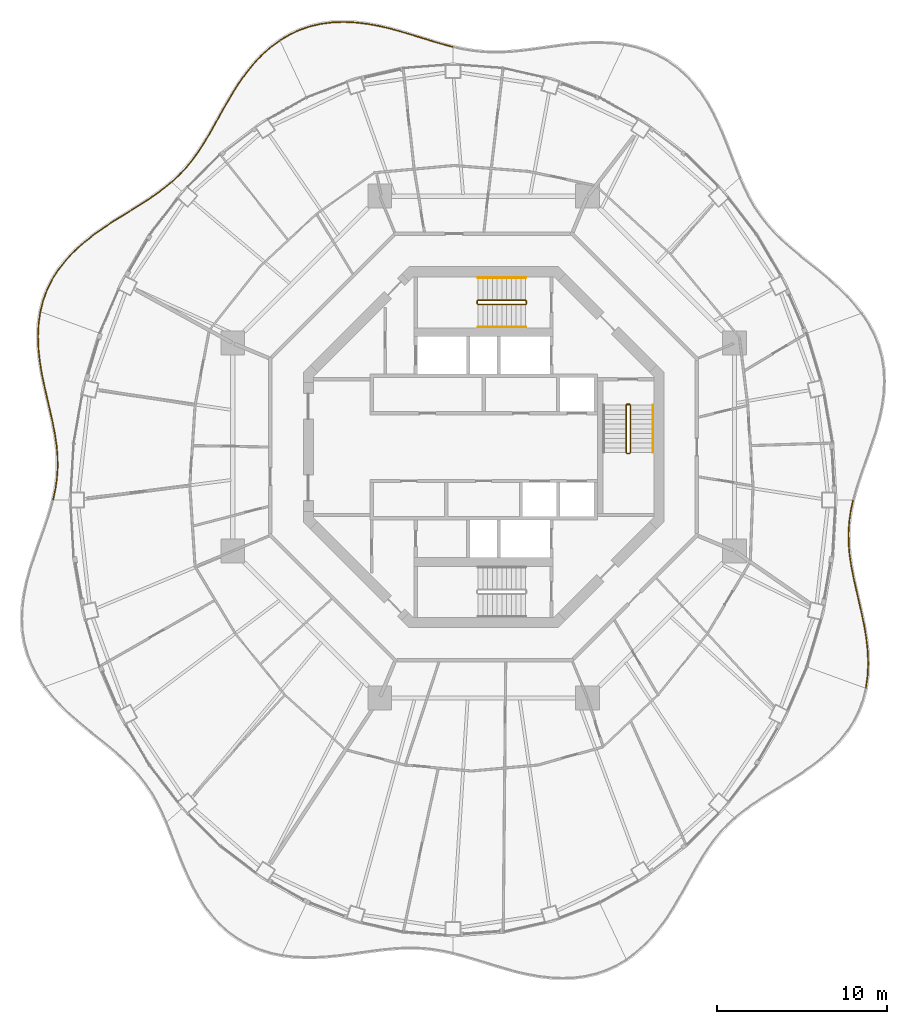
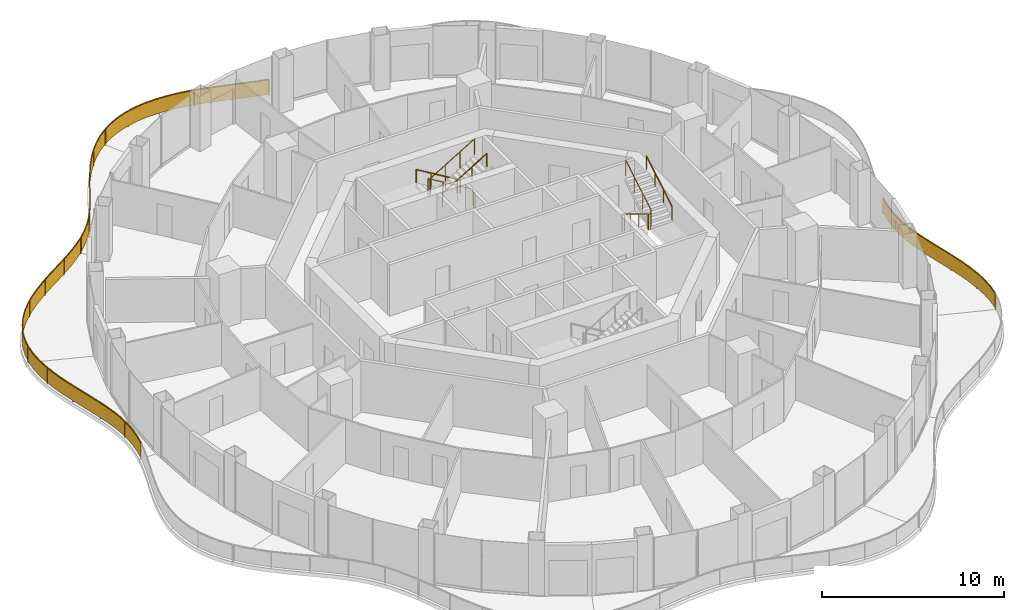
# One storey, part 16 of 17: 10 railings.
"""IFC4 building model written with IfcOpenShell, lengths in metres."""

from ifc_helpers import new_model, si_unit, direction, frame, origin, origin_2d, place, context, subcontext, project, spatial, polyline, rectangle, circle, outline, extrude, material, type_object, element, save


model = new_model("IFC4")

# Units and contexts
model_context = context("Model", 3, precision=1e-05, world=origin(), true_north=direction((0.0, 1.0)))
body_context = subcontext(model_context, "Body", "Model", "MODEL_VIEW")
ifc_project = project(units=[si_unit("LENGTHUNIT", "METRE"), si_unit("AREAUNIT", "SQUARE_METRE"), si_unit("VOLUMEUNIT", "CUBIC_METRE"), si_unit("PLANEANGLEUNIT", "RADIAN"), si_unit("MASSUNIT", "GRAM", prefix="KILO")], contexts=[model_context])

# Site, building, storey
site_placement = place(None, origin())
site = spatial("IfcSite", under=ifc_project, at=site_placement, CompositionType="ELEMENT")
building_placement = place(site_placement, origin())
building = spatial("IfcBuilding", under=site, at=building_placement, Name="Nagisa Residences", CompositionType="ELEMENT")
storey_placement = place(building_placement, frame((0.0, 0.0, 262.199951171875)))
storey = spatial("IfcBuildingStorey", under=building, at=storey_placement, Name="L66", CompositionType="ELEMENT", Elevation=262.199951171875)

# Railings
ifc_material_1 = material(Name="Stainless steel 316", Category="steel")
railing_type_1 = type_object("IfcRailingType", Name="BALCONY GUARD 1100", PredefinedType="BALUSTRADE", material=ifc_material_1)
railing_1_placement = place(storey_placement, frame((-1.83447265625, 23.57666015625, 0.0)))
element("IfcRailing", 1, at=railing_1_placement, inside=storey, type_object=railing_type_1, Name="guard:L66:bal04-0", PredefinedType="BALUSTRADE", context=body_context, shape_type="SweptSolid", body=[
    extrude(outline(polyline([(-0.55712890625, 0.12158203125), (-0.00634765625, -0.024169921875), (0.00634765625, 0.024169921875), (-0.54345703125, 0.169921875), (-1.147705078125, 0.346435546875), (-1.76513671875, 0.536865234375), (-2.396728515625, 0.732666015625), (-3.04345703125, 0.924072265625), (-3.685791015625, 1.1044921875), (-4.357666015625, 1.258544921875), (-5.037841796875, 1.37939453125), (-5.72265625, 1.45849609375), (-6.406982421875, 1.48779296875), (-7.069580078125, 1.4658203125), (-7.737060546875, 1.378662109375), (-8.388427734375, 1.227783203125), (-9.01806640625, 1.01220703125), (-9.62109375, 0.73291015625), (-10.151611328125, 0.416259765625), (-10.125732421875, 0.373291015625), (-9.59765625, 0.6884765625), (-8.99951171875, 0.9658203125), (-8.374755859375, 1.179443359375), (-7.728271484375, 1.329345703125), (-7.065673828125, 1.416015625), (-6.406982421875, 1.4375), (-5.7265625, 1.40869140625), (-5.045166015625, 1.330078125), (-4.367431640625, 1.209716796875), (-3.697998046875, 1.05615234375), (-3.05712890625, 0.876220703125), (-2.411376953125, 0.684814453125), (-1.77978515625, 0.489013671875), (-1.161865234375, 0.298583984375), (-0.55712890625, 0.12158203125)])), frame((0.0, 0.0, 1.050048828125)), (0.0, 0.0, 1.0), 0.050048828125),
    extrude(outline(polyline([(-0.55224609375, 0.138916015625), (-0.001708984375, -0.0068359375), (0.001708984375, 0.0068359375), (-0.54833984375, 0.152587890625), (-1.15283203125, 0.3291015625), (-1.7705078125, 0.51953125), (-2.402099609375, 0.71533203125), (-3.04833984375, 0.906982421875), (-3.690185546875, 1.087158203125), (-4.361083984375, 1.240966796875), (-5.04052734375, 1.361572265625), (-5.72412109375, 1.440673828125), (-6.406982421875, 1.4697265625), (-7.068115234375, 1.447998046875), (-7.73388671875, 1.36083984375), (-8.383544921875, 1.21044921875), (-9.011474609375, 0.99560546875), (-9.612548828125, 0.716796875), (-10.142333984375, 0.40087890625), (-10.135009765625, 0.388671875), (-9.606201171875, 0.70458984375), (-9.006103515625, 0.982421875), (-8.379638671875, 1.19677734375), (-7.7314453125, 1.34716796875), (-7.067138671875, 1.433837890625), (-6.406982421875, 1.45556640625), (-5.72509765625, 1.426513671875), (-5.04248046875, 1.347900390625), (-4.364013671875, 1.227294921875), (-3.693603515625, 1.073486328125), (-3.05224609375, 0.893310546875), (-2.406005859375, 0.7021484375), (-1.7744140625, 0.50634765625), (-1.15673828125, 0.31591796875), (-0.55224609375, 0.138916015625)])), frame((0.0, 0.0, 0.06005859375)), (0.0, 0.0, 1.0), 0.989990234375),
    extrude(rectangle(XDim=0.0400390625, YDim=0.0400390625, at=origin_2d()), origin(), (0.0, 0.0, 1.0), 1.050048828125),
    extrude(rectangle(XDim=0.0400390625, YDim=0.0400390625, at=origin_2d()), frame((-2.022216796875, 0.59033203125, 0.0)), (0.0, 0.0, 1.0), 1.050048828125),
    extrude(rectangle(XDim=0.0400390625, YDim=0.0400390625, at=origin_2d()), frame((-4.04931640625, 1.162353515625, 0.0)), (0.0, 0.0, 1.0), 1.050048828125),
    extrude(rectangle(XDim=0.0400390625, YDim=0.0400390625, at=origin_2d()), frame((-6.132568359375, 1.450927734375, 0.0)), (0.0, 0.0, 1.0), 1.050048828125),
    extrude(rectangle(XDim=0.0400390625, YDim=0.0400390625, at=origin_2d()), frame((-8.22021484375, 1.240966796875, 0.0)), (0.0, 0.0, 1.0), 1.050048828125),
    extrude(rectangle(XDim=0.0400390625, YDim=0.0400390625, at=origin_2d()), frame((-10.138671875, 0.394775390625, 0.0)), (0.0, 0.0, 1.0), 1.050048828125),
])
railing_2_placement = place(storey_placement, frame((-12.037353515625, 23.92822265625, 0.0)))
element("IfcRailing", 2, at=railing_2_placement, inside=storey, type_object=railing_type_1, Name="guard:L66:bal05-0", PredefinedType="BALUSTRADE", context=body_context, shape_type="SweptSolid", body=[
    extrude(outline(polyline([(-0.50244140625, -0.403564453125), (0.014892578125, -0.02001953125), (-0.014892578125, 0.02001953125), (-0.5341796875, -0.364990234375), (-1.055419921875, -0.83251953125), (-1.538330078125, -1.346435546875), (-1.98486328125, -1.897216796875), (-2.39599609375, -2.475341796875), (-2.765625, -3.06298828125), (-3.123779296875, -3.666748046875), (-3.463623046875, -4.26904296875), (-3.79296875, -4.861328125), (-4.119140625, -5.4365234375), (-4.437255859375, -5.97802734375), (-4.77880859375, -6.5029296875), (-5.13818359375, -6.99853515625), (-5.521240234375, -7.464111328125), (-5.931640625, -7.900390625), (-6.342041015625, -8.281982421875), (-6.307861328125, -8.318603515625), (-5.896484375, -7.93603515625), (-5.483642578125, -7.497314453125), (-5.0986328125, -7.029296875), (-4.7373046875, -6.53125), (-4.394775390625, -6.00439453125), (-4.07568359375, -5.46142578125), (-3.74951171875, -4.8857421875), (-3.420166015625, -4.29345703125), (-3.080322265625, -3.691650390625), (-2.72314453125, -3.0888671875), (-2.3544921875, -2.503173828125), (-1.94482421875, -1.927490234375), (-1.500732421875, -1.379150390625), (-1.020263671875, -0.8681640625), (-0.50244140625, -0.403564453125)])), frame((0.0, 0.0, 1.050048828125)), (0.0, 0.0, 1.0), 0.050048828125),
    extrude(outline(polyline([(-0.513916015625, -0.3896484375), (0.004150390625, -0.005615234375), (-0.004150390625, 0.005615234375), (-0.522705078125, -0.37890625), (-1.042724609375, -0.84521484375), (-1.52490234375, -1.358154296875), (-1.970458984375, -1.908203125), (-2.381103515625, -2.4853515625), (-2.750244140625, -3.072265625), (-3.108154296875, -3.67578125), (-3.447998046875, -4.27783203125), (-3.77734375, -4.8701171875), (-4.103515625, -5.445556640625), (-4.421875, -5.987548828125), (-4.763916015625, -6.51318359375), (-5.1240234375, -7.009521484375), (-5.5078125, -7.47607421875), (-5.9189453125, -7.913330078125), (-6.329833984375, -8.295166015625), (-6.320068359375, -8.305419921875), (-5.9091796875, -7.923095703125), (-5.4970703125, -7.4853515625), (-5.11279296875, -7.018310546875), (-4.752197265625, -6.52099609375), (-4.41015625, -5.994873046875), (-4.09130859375, -5.452392578125), (-3.76513671875, -4.876953125), (-3.435791015625, -4.28466796875), (-3.095947265625, -3.6826171875), (-2.738525390625, -3.07958984375), (-2.369384765625, -2.4931640625), (-1.959228515625, -1.91650390625), (-1.51416015625, -1.367431640625), (-1.032958984375, -0.85546875), (-0.513916015625, -0.3896484375)])), frame((0.0, 0.0, 0.06005859375)), (0.0, 0.0, 1.0), 0.989990234375),
    extrude(rectangle(XDim=0.0400390625, YDim=0.0400390625, at=origin_2d()), origin(), (0.0, 0.0, 1.0), 1.050048828125),
    extrude(rectangle(XDim=0.0400390625, YDim=0.0400390625, at=origin_2d()), frame((-1.55615234375, -1.407958984375, 0.0)), (0.0, 0.0, 1.0), 1.050048828125),
    extrude(rectangle(XDim=0.0400390625, YDim=0.0400390625, at=origin_2d()), frame((-2.77197265625, -3.12255859375, 0.0)), (0.0, 0.0, 1.0), 1.050048828125),
    extrude(rectangle(XDim=0.0400390625, YDim=0.0400390625, at=origin_2d()), frame((-3.81494140625, -4.950439453125, 0.0)), (0.0, 0.0, 1.0), 1.050048828125),
    extrude(rectangle(XDim=0.0400390625, YDim=0.0400390625, at=origin_2d()), frame((-4.919677734375, -6.739990234375, 0.0)), (0.0, 0.0, 1.0), 1.050048828125),
    extrude(rectangle(XDim=0.0400390625, YDim=0.0400390625, at=origin_2d()), frame((-6.324951171875, -8.30029296875, 0.0)), (0.0, 0.0, 1.0), 1.050048828125),
])
railing_3_placement = place(storey_placement, frame((-18.415771484375, 15.583251953125, 0.0)))
element("IfcRailing", 3, at=railing_3_placement, inside=storey, type_object=railing_type_1, Name="guard:L66:bal06-0", PredefinedType="BALUSTRADE", context=body_context, shape_type="SweptSolid", body=[
    extrude(outline(polyline([(-0.449462890625, -0.3994140625), (0.015869140625, -0.019287109375), (-0.015869140625, 0.019287109375), (-0.480224609375, -0.35986328125), (-1.010009765625, -0.746826171875), (-1.570068359375, -1.121826171875), (-2.155029296875, -1.491943359375), (-2.7578125, -1.864990234375), (-3.36083984375, -2.236328125), (-3.971435546875, -2.63720703125), (-4.5693359375, -3.06201171875), (-5.144287109375, -3.515625), (-5.6845703125, -4.001220703125), (-6.173583984375, -4.5087890625), (-6.615234375, -5.065185546875), (-6.99560546875, -5.656005859375), (-7.308837890625, -6.279541015625), (-7.552001953125, -6.93212890625), (-7.71142578125, -7.564208984375), (-7.6630859375, -7.576416015625), (-7.504150390625, -6.947265625), (-7.262939453125, -6.299560546875), (-6.9521484375, -5.680908203125), (-6.57470703125, -5.094482421875), (-6.135986328125, -4.5419921875), (-5.64990234375, -4.037353515625), (-5.112060546875, -3.5537109375), (-4.53955078125, -3.10205078125), (-3.943115234375, -2.6787109375), (-3.333984375, -2.2783203125), (-2.7314453125, -1.907470703125), (-2.128662109375, -1.534423828125), (-1.542724609375, -1.163818359375), (-0.981201171875, -0.787841796875), (-0.449462890625, -0.3994140625)])), frame((0.0, 0.0, 1.050048828125)), (0.0, 0.0, 1.0), 0.050048828125),
    extrude(outline(polyline([(-0.46044921875, -0.38525390625), (0.00439453125, -0.00537109375), (-0.00439453125, 0.00537109375), (-0.46923828125, -0.3740234375), (-0.99951171875, -0.76171875), (-1.560302734375, -1.136962890625), (-2.1455078125, -1.50732421875), (-2.748291015625, -1.88037109375), (-3.35107421875, -2.25146484375), (-3.961181640625, -2.652099609375), (-4.55859375, -3.076416015625), (-5.132568359375, -3.529296875), (-5.672119140625, -4.01416015625), (-6.16015625, -4.520751953125), (-6.6005859375, -5.07568359375), (-6.97998046875, -5.6650390625), (-7.292236328125, -6.286865234375), (-7.53466796875, -6.9375), (-7.694091796875, -7.568603515625), (-7.680419921875, -7.572021484375), (-7.521484375, -6.94189453125), (-7.279541015625, -6.292236328125), (-6.9677734375, -5.671875), (-6.58935546875, -5.083984375), (-6.1494140625, -4.530029296875), (-5.662353515625, -4.0244140625), (-5.123779296875, -3.5400390625), (-4.55029296875, -3.087646484375), (-3.953369140625, -2.663818359375), (-3.34375, -2.26318359375), (-2.740966796875, -1.89208984375), (-2.13818359375, -1.51904296875), (-1.552490234375, -1.148681640625), (-0.99169921875, -0.77294921875), (-0.46044921875, -0.38525390625)])), frame((0.0, 0.0, 0.06005859375)), (0.0, 0.0, 1.0), 0.989990234375),
    extrude(rectangle(XDim=0.0400390625, YDim=0.0400390625, at=origin_2d()), origin(), (0.0, 0.0, 1.0), 1.050048828125),
    extrude(rectangle(XDim=0.0400390625, YDim=0.0400390625, at=origin_2d()), frame((-1.801025390625, -1.297607421875, 0.0)), (0.0, 0.0, 1.0), 1.050048828125),
    extrude(rectangle(XDim=0.0400390625, YDim=0.0400390625, at=origin_2d()), frame((-3.683349609375, -2.47802734375, 0.0)), (0.0, 0.0, 1.0), 1.050048828125),
    extrude(rectangle(XDim=0.0400390625, YDim=0.0400390625, at=origin_2d()), frame((-5.44873046875, -3.82275390625, 0.0)), (0.0, 0.0, 1.0), 1.050048828125),
    extrude(rectangle(XDim=0.0400390625, YDim=0.0400390625, at=origin_2d()), frame((-6.875, -5.514892578125, 0.0)), (0.0, 0.0, 1.0), 1.050048828125),
    extrude(rectangle(XDim=0.0400390625, YDim=0.0400390625, at=origin_2d()), frame((-7.687255859375, -7.5703125, 0.0)), (0.0, 0.0, 1.0), 1.050048828125),
])
railing_4_placement = place(storey_placement, frame((-26.11767578125, 7.93701171875, 0.0)))
element("IfcRailing", 4, at=railing_4_placement, inside=storey, type_object=railing_type_1, Name="guard:L66:bal07-0", PredefinedType="BALUSTRADE", context=body_context, shape_type="SweptSolid", body=[
    extrude(outline(polyline([(-0.07177734375, -0.67431640625), (0.024658203125, -0.003662109375), (-0.024658203125, 0.003662109375), (-0.12158203125, -0.66943359375), (-0.156982421875, -1.403564453125), (-0.130126953125, -2.146484375), (-0.051025390625, -2.891845703125), (0.0693359375, -3.634521484375), (0.2216796875, -4.355712890625), (0.3857421875, -5.079345703125), (0.55126953125, -5.789794921875), (0.70556640625, -6.485107421875), (0.83642578125, -7.165771484375), (0.935302734375, -7.8193359375), (0.9912109375, -8.47509765625), (0.999755859375, -9.122802734375), (0.95849609375, -9.76611328125), (0.8671875, -10.4091796875), (0.7373046875, -11.0146484375), (0.7861328125, -11.025390625), (0.91650390625, -10.41796875), (1.00830078125, -9.771484375), (1.050048828125, -9.124267578125), (1.041015625, -8.47265625), (0.985107421875, -7.8134765625), (0.8857421875, -7.157470703125), (0.75439453125, -6.474853515625), (0.60009765625, -5.778564453125), (0.4345703125, -5.068115234375), (0.2705078125, -4.344970703125), (0.11865234375, -3.625244140625), (-0.001220703125, -2.885009765625), (-0.080322265625, -2.14306640625), (-0.106689453125, -1.404052734375), (-0.07177734375, -0.67431640625)])), frame((0.0, 0.0, 1.050048828125)), (0.0, 0.0, 1.0), 0.050048828125),
    extrude(outline(polyline([(-0.089599609375, -0.672607421875), (0.0068359375, -0.0009765625), (-0.0068359375, 0.0009765625), (-0.103759765625, -0.671142578125), (-0.138916015625, -1.40380859375), (-0.1123046875, -2.145263671875), (-0.032958984375, -2.889404296875), (0.087158203125, -3.631103515625), (0.2392578125, -4.351806640625), (0.4033203125, -5.0751953125), (0.56884765625, -5.78564453125), (0.72314453125, -6.4814453125), (0.854248046875, -7.162841796875), (0.953369140625, -7.817138671875), (1.009033203125, -8.47412109375), (1.017822265625, -9.123291015625), (0.976318359375, -9.76806640625), (0.885009765625, -10.412353515625), (0.7548828125, -11.0185546875), (0.7685546875, -11.021484375), (0.898681640625, -10.414794921875), (0.990478515625, -9.76953125), (1.031982421875, -9.123779296875), (1.023193359375, -8.4736328125), (0.967041015625, -7.815673828125), (0.867919921875, -7.160400390625), (0.73681640625, -6.478515625), (0.58251953125, -5.78271484375), (0.4169921875, -5.072265625), (0.2529296875, -4.348876953125), (0.100830078125, -3.628662109375), (-0.019287109375, -2.887451171875), (-0.09814453125, -2.144287109375), (-0.124755859375, -1.40380859375), (-0.089599609375, -0.672607421875)])), frame((0.0, 0.0, 0.06005859375)), (0.0, 0.0, 1.0), 0.989990234375),
    extrude(rectangle(XDim=0.0400390625, YDim=0.0400390625, at=origin_2d()), origin(), (0.0, 0.0, 1.0), 1.050048828125),
    extrude(rectangle(XDim=0.0400390625, YDim=0.0400390625, at=origin_2d()), frame((-0.096923828125, -2.22265625, 0.0)), (0.0, 0.0, 1.0), 1.050048828125),
    extrude(rectangle(XDim=0.0400390625, YDim=0.0400390625, at=origin_2d()), frame((0.262451171875, -4.422607421875, 0.0)), (0.0, 0.0, 1.0), 1.050048828125),
    extrude(rectangle(XDim=0.0400390625, YDim=0.0400390625, at=origin_2d()), frame((0.7529296875, -6.599365234375, 0.0)), (0.0, 0.0, 1.0), 1.050048828125),
    extrude(rectangle(XDim=0.0400390625, YDim=0.0400390625, at=origin_2d()), frame((1.020751953125, -8.810302734375, 0.0)), (0.0, 0.0, 1.0), 1.050048828125),
    extrude(rectangle(XDim=0.0400390625, YDim=0.0400390625, at=origin_2d()), frame((0.76171875, -11.02001953125, 0.0)), (0.0, 0.0, 1.0), 1.050048828125),
])
railing_5_placement = place(storey_placement, frame((22.517578125, -14.17236328125, 0.0)))
element("IfcRailing", 5, at=railing_5_placement, inside=storey, type_object=railing_type_1, Name="guard:L66:bal15-0", PredefinedType="BALUSTRADE", context=body_context, shape_type="SweptSolid", body=[
    extrude(outline(polyline([(0.07177734375, 0.67431640625), (-0.024658203125, 0.003662109375), (0.024658203125, -0.003662109375), (0.12158203125, 0.66943359375), (0.1572265625, 1.403564453125), (0.13037109375, 2.146484375), (0.05126953125, 2.891845703125), (-0.0693359375, 3.63427734375), (-0.221435546875, 4.355712890625), (-0.385498046875, 5.079345703125), (-0.55126953125, 5.78955078125), (-0.70556640625, 6.485107421875), (-0.83642578125, 7.165771484375), (-0.935302734375, 7.819091796875), (-0.9912109375, 8.47509765625), (-0.99951171875, 9.122802734375), (-0.958251953125, 9.76611328125), (-0.866943359375, 10.4091796875), (-0.7373046875, 11.014892578125), (-0.7861328125, 11.025146484375), (-0.916259765625, 10.41796875), (-1.008056640625, 9.771484375), (-1.0498046875, 9.124267578125), (-1.041015625, 8.47265625), (-0.985107421875, 7.813232421875), (-0.8857421875, 7.157470703125), (-0.75439453125, 6.474853515625), (-0.60009765625, 5.7783203125), (-0.434326171875, 5.068115234375), (-0.270263671875, 4.344970703125), (-0.11865234375, 3.625), (0.00146484375, 2.885009765625), (0.08056640625, 2.14306640625), (0.10693359375, 1.404052734375), (0.07177734375, 0.67431640625)])), frame((0.0, 0.0, 1.050048828125)), (0.0, 0.0, 1.0), 0.050048828125),
    extrude(outline(polyline([(0.089599609375, 0.672607421875), (-0.0068359375, 0.0009765625), (0.0068359375, -0.0009765625), (0.103759765625, 0.671142578125), (0.13916015625, 1.40380859375), (0.112548828125, 2.145263671875), (0.033203125, 2.889404296875), (-0.087158203125, 3.630859375), (-0.239013671875, 4.351806640625), (-0.403076171875, 5.0751953125), (-0.56884765625, 5.785400390625), (-0.72314453125, 6.4814453125), (-0.854248046875, 7.162841796875), (-0.953369140625, 7.81689453125), (-1.009033203125, 8.47412109375), (-1.017578125, 9.123291015625), (-0.97607421875, 9.76806640625), (-0.884765625, 10.412353515625), (-0.7548828125, 11.0185546875), (-0.7685546875, 11.021484375), (-0.8984375, 10.414794921875), (-0.990234375, 9.76953125), (-1.03173828125, 9.123779296875), (-1.023193359375, 8.4736328125), (-0.967041015625, 7.8154296875), (-0.867919921875, 7.160400390625), (-0.73681640625, 6.478515625), (-0.58251953125, 5.782470703125), (-0.416748046875, 5.072265625), (-0.252685546875, 4.348876953125), (-0.100830078125, 3.62841796875), (0.01953125, 2.887451171875), (0.098388671875, 2.144287109375), (0.125, 1.40380859375), (0.089599609375, 0.672607421875)])), frame((0.0, 0.0, 0.06005859375)), (0.0, 0.0, 1.0), 0.989990234375),
    extrude(rectangle(XDim=0.0400390625, YDim=0.0400390625, at=origin_2d()), origin(), (0.0, 0.0, 1.0), 1.050048828125),
    extrude(rectangle(XDim=0.0400390625, YDim=0.0400390625, at=origin_2d()), frame((0.09716796875, 2.22265625, 0.0)), (0.0, 0.0, 1.0), 1.050048828125),
    extrude(rectangle(XDim=0.0400390625, YDim=0.0400390625, at=origin_2d()), frame((-0.26220703125, 4.422607421875, 0.0)), (0.0, 0.0, 1.0), 1.050048828125),
    extrude(rectangle(XDim=0.0400390625, YDim=0.0400390625, at=origin_2d()), frame((-0.7529296875, 6.599365234375, 0.0)), (0.0, 0.0, 1.0), 1.050048828125),
    extrude(rectangle(XDim=0.0400390625, YDim=0.0400390625, at=origin_2d()), frame((-1.0205078125, 8.810302734375, 0.0)), (0.0, 0.0, 1.0), 1.050048828125),
    extrude(rectangle(XDim=0.0400390625, YDim=0.0400390625, at=origin_2d()), frame((-0.76171875, 11.02001953125, 0.0)), (0.0, 0.0, 1.0), 1.050048828125),
])
ifc_material_2 = material(Name="Stainless steel", Category="steel")
railing_type_2 = type_object("IfcRailingType", Name="Stair guard 1100", PredefinedType="GUARDRAIL", material=ifc_material_2)
railing_6_placement = place(storey_placement, frame((8.599609375, 2.52490234375, 0.0)))
element("IfcRailing", 6, at=railing_6_placement, inside=storey, type_object=railing_type_2, Name="L66 ST-E stair guard 1", PredefinedType="GUARDRAIL", context=body_context, shape_type="SweptSolid", body=[
    extrude(circle(Radius=0.02392578125, at=origin_2d()), frame((0.0, 0.0, 1.076171875), z_axis=(-1.0, 0.0, 0.0), x_axis=(0.0, -1.0, 0.0)), (0.0, 0.0, 1.0), 0.14990234375),
    extrude(circle(Radius=0.02392578125, at=origin_2d()), frame((-0.14990234375, 0.0, 1.076171875), z_axis=(-0.27434429532, -0.273006030465, 0.922064485248), x_axis=(0.705375805398, -0.708833529934, 0.0)), (0.0, 0.0, 1.0), 0.182373046875),
    extrude(circle(Radius=0.02392578125, at=origin_2d()), frame((-0.199951171875, -0.0498046875, 1.244140625), z_axis=(0.0, -0.857242210791, 0.514913383045), x_axis=(1.0, 0.0, 0.0)), (0.0, 0.0, 1.0), 3.266357421875),
    extrude(circle(Radius=0.02392578125, at=origin_2d()), frame((-0.199951171875, -2.849853515625, 2.92626953125), z_axis=(0.707106781187, -0.707106781187, 0.0), x_axis=(0.707106781187, 0.707106781187, 0.0)), (0.0, 0.0, 1.0), 0.07080078125),
    extrude(circle(Radius=0.02392578125, at=origin_2d()), frame((-0.14990234375, -2.89990234375, 2.92626953125), z_axis=(1.0, 0.0, 0.0), x_axis=(0.0, 1.0, 0.0)), (0.0, 0.0, 1.0), 0.14990234375),
    extrude(circle(Radius=0.02392578125, at=origin_2d()), frame((0.0, -2.89990234375, 2.92626953125), z_axis=(0.274243871929, 0.274243871929, 0.92172696468), x_axis=(-0.707106781187, 0.707106781187, 0.0)), (0.0, 0.0, 1.0), 0.1826171875),
    extrude(circle(Radius=0.02392578125, at=origin_2d()), frame((0.050048828125, -2.849853515625, 3.09423828125), z_axis=(0.0, 0.857275202839, 0.514858452973), x_axis=(-1.0, 0.0, 0.0)), (0.0, 0.0, 1.0), 3.26611328125),
    extrude(circle(Radius=0.02099609375, at=origin_2d()), origin(), (0.0, 0.0, 1.0), 1.052001953125),
    extrude(circle(Radius=0.02099609375, at=origin_2d()), frame((-0.14990234375, 0.0, 0.0)), (0.0, 0.0, 1.0), 1.052001953125),
    extrude(circle(Radius=0.02099609375, at=origin_2d()), frame((-0.199951171875, -0.0498046875, 0.168212890625)), (0.0, 0.0, 1.0), 1.052001953125),
    extrude(circle(Radius=0.02099609375, at=origin_2d()), frame((-0.199951171875, -0.983154296875, 0.728759765625)), (0.0, 0.0, 1.0), 1.052001953125),
    extrude(circle(Radius=0.02099609375, at=origin_2d()), frame((-0.199951171875, -1.91650390625, 1.28955078125)), (0.0, 0.0, 1.0), 1.052001953125),
    extrude(circle(Radius=0.02099609375, at=origin_2d()), frame((-0.199951171875, -2.849853515625, 1.85009765625)), (0.0, 0.0, 1.0), 1.052001953125),
    extrude(circle(Radius=0.02099609375, at=origin_2d()), frame((-0.14990234375, -2.89990234375, 1.85009765625)), (0.0, 0.0, 1.0), 1.052001953125),
    extrude(circle(Radius=0.02099609375, at=origin_2d()), frame((0.0, -2.89990234375, 1.85009765625)), (0.0, 0.0, 1.0), 1.052001953125),
    extrude(circle(Radius=0.02099609375, at=origin_2d()), frame((0.050048828125, -2.849853515625, 2.018310546875)), (0.0, 0.0, 1.0), 1.052001953125),
    extrude(circle(Radius=0.02099609375, at=origin_2d()), frame((0.050048828125, -1.91650390625, 2.578857421875)), (0.0, 0.0, 1.0), 1.052001953125),
    extrude(circle(Radius=0.02099609375, at=origin_2d()), frame((0.050048828125, -0.983154296875, 3.139404296875)), (0.0, 0.0, 1.0), 1.052001953125),
    extrude(circle(Radius=0.02099609375, at=origin_2d()), frame((0.050048828125, -0.0498046875, 3.699951171875)), (0.0, 0.0, 1.0), 1.052001953125),
])
railing_7_placement = place(storey_placement, frame((2.52490234375, 8.44970703125, 0.0)))
element("IfcRailing", 7, at=railing_7_placement, inside=storey, type_object=railing_type_2, Name="L66 ST-N stair guard 1", PredefinedType="GUARDRAIL", context=body_context, shape_type="SweptSolid", body=[
    extrude(circle(Radius=0.02392578125, at=origin_2d()), frame((0.0, 0.0, 1.076171875), z_axis=(0.0, 1.0, 0.0), x_axis=(-1.0, 0.0, 0.0)), (0.0, 0.0, 1.0), 0.14990234375),
    extrude(circle(Radius=0.02392578125, at=origin_2d()), frame((0.0, 0.14990234375, 1.076171875), z_axis=(-0.273006030465, 0.27434429532, 0.922064485248), x_axis=(-0.708833529934, -0.705375805398, 0.0)), (0.0, 0.0, 1.0), 0.182373046875),
    extrude(circle(Radius=0.02392578125, at=origin_2d()), frame((-0.0498046875, 0.199951171875, 1.244140625), z_axis=(-0.857242210791, 0.0, 0.514913383045), x_axis=(0.0, -1.0, 0.0)), (0.0, 0.0, 1.0), 3.266357421875),
    extrude(circle(Radius=0.02392578125, at=origin_2d()), frame((-2.849853515625, 0.199951171875, 2.92626953125), z_axis=(-0.707106781187, -0.707106781187, 0.0), x_axis=(0.707106781187, -0.707106781187, 0.0)), (0.0, 0.0, 1.0), 0.07080078125),
    extrude(circle(Radius=0.02392578125, at=origin_2d()), frame((-2.89990234375, 0.14990234375, 2.92626953125), z_axis=(0.0, -1.0, 0.0), x_axis=(1.0, 0.0, 0.0)), (0.0, 0.0, 1.0), 0.14990234375),
    extrude(circle(Radius=0.02392578125, at=origin_2d()), frame((-2.89990234375, 0.0, 2.92626953125), z_axis=(0.274243871929, -0.274243871929, 0.92172696468), x_axis=(0.707106781187, 0.707106781187, 0.0)), (0.0, 0.0, 1.0), 0.1826171875),
    extrude(circle(Radius=0.02392578125, at=origin_2d()), frame((-2.849853515625, -0.050048828125, 3.09423828125), z_axis=(0.857275202839, 0.0, 0.514858452973), x_axis=(0.0, 1.0, 0.0)), (0.0, 0.0, 1.0), 3.26611328125),
    extrude(circle(Radius=0.02099609375, at=origin_2d()), origin(), (0.0, 0.0, 1.0), 1.052001953125),
    extrude(circle(Radius=0.02099609375, at=origin_2d()), frame((0.0, 0.14990234375, 0.0)), (0.0, 0.0, 1.0), 1.052001953125),
    extrude(circle(Radius=0.02099609375, at=origin_2d()), frame((-0.0498046875, 0.199951171875, 0.168212890625)), (0.0, 0.0, 1.0), 1.052001953125),
    extrude(circle(Radius=0.02099609375, at=origin_2d()), frame((-0.983154296875, 0.199951171875, 0.728759765625)), (0.0, 0.0, 1.0), 1.052001953125),
    extrude(circle(Radius=0.02099609375, at=origin_2d()), frame((-1.91650390625, 0.199951171875, 1.28955078125)), (0.0, 0.0, 1.0), 1.052001953125),
    extrude(circle(Radius=0.02099609375, at=origin_2d()), frame((-2.849853515625, 0.199951171875, 1.85009765625)), (0.0, 0.0, 1.0), 1.052001953125),
    extrude(circle(Radius=0.02099609375, at=origin_2d()), frame((-2.89990234375, 0.14990234375, 1.85009765625)), (0.0, 0.0, 1.0), 1.052001953125),
    extrude(circle(Radius=0.02099609375, at=origin_2d()), frame((-2.89990234375, 0.0, 1.85009765625)), (0.0, 0.0, 1.0), 1.052001953125),
    extrude(circle(Radius=0.02099609375, at=origin_2d()), frame((-2.849853515625, -0.050048828125, 2.018310546875)), (0.0, 0.0, 1.0), 1.052001953125),
    extrude(circle(Radius=0.02099609375, at=origin_2d()), frame((-1.91650390625, -0.050048828125, 2.578857421875)), (0.0, 0.0, 1.0), 1.052001953125),
    extrude(circle(Radius=0.02099609375, at=origin_2d()), frame((-0.983154296875, -0.050048828125, 3.139404296875)), (0.0, 0.0, 1.0), 1.052001953125),
    extrude(circle(Radius=0.02099609375, at=origin_2d()), frame((-0.0498046875, -0.050048828125, 3.699951171875)), (0.0, 0.0, 1.0), 1.052001953125),
])
ifc_material_3 = material(Name="Stainless steel", Category="steel")
railing_type_3 = type_object("IfcRailingType", Name="Stair handrail 900", PredefinedType="HANDRAIL", material=ifc_material_3)
railing_8_placement = place(storey_placement, frame((9.974609375, -0.324951171875, 2.018310546875)))
element("IfcRailing", 8, at=railing_8_placement, inside=storey, type_object=railing_type_3, Name="L66 ST-E stair handrail 2", PredefinedType="HANDRAIL", context=body_context, shape_type="SweptSolid", body=[
    extrude(circle(Radius=0.02392578125, at=origin_2d()), frame((0.0, 0.0, 0.8759765625), z_axis=(0.0, 0.857275202839, 0.514858452973), x_axis=(-1.0, 0.0, 0.0)), (0.0, 0.0, 1.0), 3.26611328125),
    extrude(circle(Radius=0.02099609375, at=origin_2d()), origin(), (0.0, 0.0, 1.0), 0.851806640625),
    extrude(circle(Radius=0.02099609375, at=origin_2d()), frame((0.0, 0.933349609375, 0.560546875)), (0.0, 0.0, 1.0), 0.851806640625),
    extrude(circle(Radius=0.02099609375, at=origin_2d()), frame((0.0, 1.86669921875, 1.12109375)), (0.0, 0.0, 1.0), 0.851806640625),
    extrude(circle(Radius=0.02099609375, at=origin_2d()), frame((0.0, 2.800048828125, 1.681640625)), (0.0, 0.0, 1.0), 0.851806640625),
])
railing_9_placement = place(storey_placement, frame((2.47509765625, 9.974609375, 0.168212890625)))
element("IfcRailing", 9, at=railing_9_placement, inside=storey, type_object=railing_type_3, Name="L66 ST-N stair handrail 1", PredefinedType="HANDRAIL", context=body_context, shape_type="SweptSolid", body=[
    extrude(circle(Radius=0.02392578125, at=origin_2d()), frame((0.0, 0.0, 0.8759765625), z_axis=(-0.857242210791, 0.0, 0.514913383045), x_axis=(0.0, -1.0, 0.0)), (0.0, 0.0, 1.0), 3.266357421875),
    extrude(circle(Radius=0.02099609375, at=origin_2d()), origin(), (0.0, 0.0, 1.0), 0.851806640625),
    extrude(circle(Radius=0.02099609375, at=origin_2d()), frame((-0.933349609375, 0.0, 0.560546875)), (0.0, 0.0, 1.0), 0.851806640625),
    extrude(circle(Radius=0.02099609375, at=origin_2d()), frame((-1.86669921875, 0.0, 1.121337890625)), (0.0, 0.0, 1.0), 0.851806640625),
    extrude(circle(Radius=0.02099609375, at=origin_2d()), frame((-2.800048828125, 0.0, 1.681884765625)), (0.0, 0.0, 1.0), 0.851806640625),
])
railing_10_placement = place(storey_placement, frame((-0.324951171875, 7.07470703125, 2.018310546875)))
element("IfcRailing", 10, at=railing_10_placement, inside=storey, type_object=railing_type_3, Name="L66 ST-N stair handrail 2", PredefinedType="HANDRAIL", context=body_context, shape_type="SweptSolid", body=[
    extrude(circle(Radius=0.02392578125, at=origin_2d()), frame((0.0, 0.0, 0.8759765625), z_axis=(0.857275202839, 0.0, 0.514858452973), x_axis=(0.0, 1.0, 0.0)), (0.0, 0.0, 1.0), 3.26611328125),
    extrude(circle(Radius=0.02099609375, at=origin_2d()), origin(), (0.0, 0.0, 1.0), 0.851806640625),
    extrude(circle(Radius=0.02099609375, at=origin_2d()), frame((0.933349609375, 0.0, 0.560546875)), (0.0, 0.0, 1.0), 0.851806640625),
    extrude(circle(Radius=0.02099609375, at=origin_2d()), frame((1.86669921875, 0.0, 1.12109375)), (0.0, 0.0, 1.0), 0.851806640625),
    extrude(circle(Radius=0.02099609375, at=origin_2d()), frame((2.800048828125, 0.0, 1.681640625)), (0.0, 0.0, 1.0), 0.851806640625),
])

save(model, "model.ifc")
